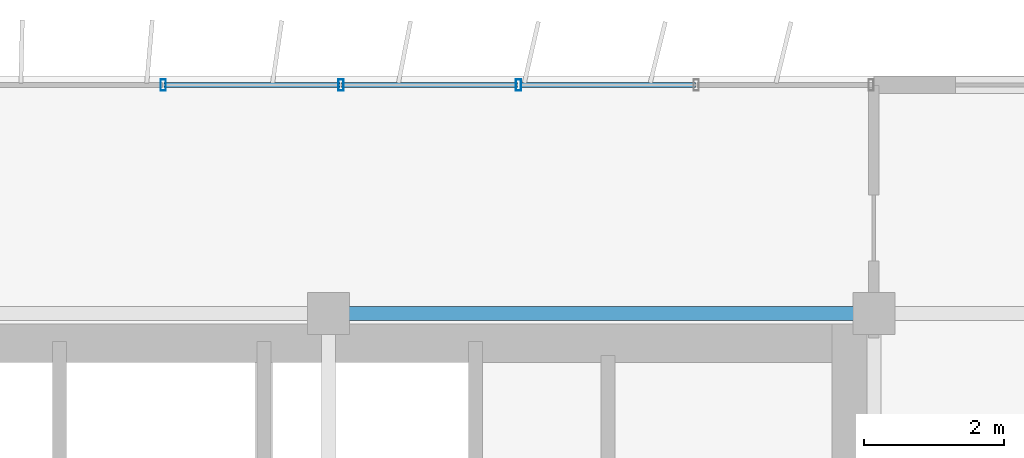
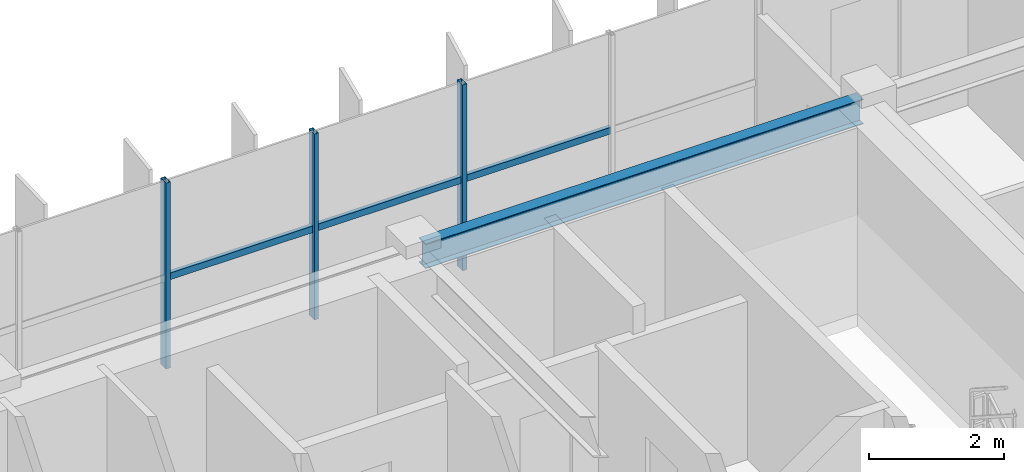
# One storey, part 12 of 22: 6 members, 1 beam, 1 element without a shape of its own.
"""IFC4 building model written with IfcOpenShell, lengths in metres."""

import ifcopenshell
import ifcopenshell.guid

model = None  # the IFC model being written
_history = None  # IfcOwnerHistory: only IFC2X3 demands one
_inside = {}  # id of a spatial element -> (the spatial element, [elements in it])
_under = {}  # id of a project, library or spatial element -> (it, [spatial elements below it])
_declared = {}  # id of a project -> (the project, [libraries it declares])
_typed = {}  # id of a type object -> (the type object, [elements of that type])
_made_of = {}  # id of a material, layer set ... -> (it, [elements and type objects made of it])


def new_model(schema):
    """Start an empty IFC model of exactly this schema.

    Asked for "IFC4X3", IfcOpenShell would pick the latest addendum, in which some entities
    have other attributes; the version numbers below select the first issue.
    IFC2X3 requires an IfcOwnerHistory on every rooted entity: one is made here for all.
    """
    global model, _history
    if schema == "IFC4X3":
        model = ifcopenshell.file(schema_version=(4, 3, 0, 0))
    else:
        model = ifcopenshell.file(schema=schema)
    _inside.clear()
    _under.clear()
    _declared.clear()
    _typed.clear()
    _made_of.clear()
    _history = None
    if model.schema == "IFC2X3":
        org = make("IfcOrganization", Name="unknown")
        user = make(
            "IfcPersonAndOrganization",
            ThePerson=make("IfcPerson", FamilyName="unknown"),
            TheOrganization=org,
        )
        app = make(
            "IfcApplication",
            ApplicationDeveloper=org,
            Version="unknown",
            ApplicationFullName="unknown",
            ApplicationIdentifier="unknown",
        )
        _history = make(
            "IfcOwnerHistory",
            OwningUser=user,
            OwningApplication=app,
            ChangeAction="ADDED",
            CreationDate=0,
        )
    return model


def make(cls, **values):
    """One entity of the class cls with the attributes given. An attribute that is None is left unset."""
    return model.create_entity(
        cls, **{name: value for name, value in values.items() if value is not None}
    )


def rooted(cls, **values):
    """An entity with a GlobalId (a new one), such as an element, a storey or a relation."""
    return make(cls, GlobalId=ifcopenshell.guid.new(), OwnerHistory=_history, **values)


def si_unit(unit_type, name, prefix=None):
    """IfcSIUnit, for example si_unit("LENGTHUNIT", "METRE", prefix="MILLI")."""
    return make("IfcSIUnit", UnitType=unit_type, Prefix=prefix, Name=name)


def assignment(units):
    """IfcUnitAssignment: the units of a project."""
    return None if units is None else make("IfcUnitAssignment", Units=units)


def point(xyz):
    """IfcCartesianPoint."""
    return None if xyz is None else make("IfcCartesianPoint", Coordinates=xyz)


def direction(xyz):
    """IfcDirection."""
    return None if xyz is None else make("IfcDirection", DirectionRatios=xyz)


def frame(location, z_axis=None, x_axis=None):
    """IfcAxis2Placement3D, a coordinate frame: its origin and axes. An axis left out is left unset."""
    return make(
        "IfcAxis2Placement3D",
        Location=point(location),
        Axis=direction(z_axis),
        RefDirection=direction(x_axis),
    )


def frame_2d(location, x_axis=None):
    """IfcAxis2Placement2D, a coordinate frame in the plane: its origin and x axis."""
    return make(
        "IfcAxis2Placement2D", Location=point(location), RefDirection=direction(x_axis)
    )


def origin():
    """The frame at (0, 0, 0) with its axes left unset."""
    return frame((0.0, 0.0, 0.0))


def origin_2d():
    """The frame at (0, 0) in the plane with its x axis left unset."""
    return frame_2d((0.0, 0.0))


def place(relative_to, where):
    """IfcLocalPlacement: puts the frame where relative to a parent placement (None: the world)."""
    return make(
        "IfcLocalPlacement", PlacementRelTo=relative_to, RelativePlacement=where
    )


def context(
    kind, dimensions, precision=None, world=None, true_north=None, identifier=None
):
    """IfcGeometricRepresentationContext, for example the 3D "Model" context."""
    return make(
        "IfcGeometricRepresentationContext",
        ContextIdentifier=identifier,
        ContextType=kind,
        CoordinateSpaceDimension=dimensions,
        Precision=precision,
        WorldCoordinateSystem=world,
        TrueNorth=true_north,
    )


def subcontext(parent, identifier, kind, view, scale=None):
    """IfcGeometricRepresentationSubContext, for example "Body" below "Model"."""
    return make(
        "IfcGeometricRepresentationSubContext",
        ContextIdentifier=identifier,
        ContextType=kind,
        ParentContext=parent,
        TargetScale=scale,
        TargetView=view,
    )


def project(units=None, contexts=None):
    """IfcProject with its units and contexts."""
    return rooted(
        "IfcProject",
        Name="project",
        RepresentationContexts=contexts,
        UnitsInContext=assignment(units),
    )


def spatial(cls, under=None, at=None, **own):
    """A site, building, storey or space (cls), placed at a placement, below another one or the project."""
    s = rooted(cls, ObjectPlacement=at, **own)
    if under is not None:
        _under.setdefault(under.id(), (under, []))[1].append(s)
    return s


def profile(cls, at=None, kind="AREA", **sizes):
    """A parametric profile (cls). Its sizes go by their IFC names, for example OverallWidth=200.0."""
    return make(cls, ProfileType=kind, Position=at, **sizes)


def hollow_rectangle(**sizes):
    """IfcRectangleHollowProfileDef."""
    return profile("IfcRectangleHollowProfileDef", **sizes)


def i_section(**sizes):
    """IfcIShapeProfileDef."""
    return profile("IfcIShapeProfileDef", **sizes)


def extrude(swept, where, along, depth):
    """IfcExtrudedAreaSolid: the profile swept, set in the frame where, extruded along a direction by depth."""
    return make(
        "IfcExtrudedAreaSolid",
        SweptArea=swept,
        Position=where,
        ExtrudedDirection=direction(along),
        Depth=depth,
    )


def shape(context_of_items, identifier, shape_type, items):
    """IfcShapeRepresentation: the items that make up one representation, for example the "Body"."""
    return make(
        "IfcShapeRepresentation",
        ContextOfItems=context_of_items,
        RepresentationIdentifier=identifier,
        RepresentationType=shape_type,
        Items=items,
    )


def source(mapping_origin, context_of_items, identifier, shape_type, items):
    """IfcRepresentationMap: a shape defined once, which mapped items show again and again."""
    return make(
        "IfcRepresentationMap",
        MappingOrigin=mapping_origin,
        MappedRepresentation=shape(context_of_items, identifier, shape_type, items),
    )


def transform(
    local_origin,
    x_axis=None,
    y_axis=None,
    z_axis=None,
    scale=None,
    scale2=None,
    scale3=None,
    uniform=True,
):
    """IfcCartesianTransformationOperator3D, or its non-uniform kind. x_axis, y_axis, z_axis: its Axis1, 2, 3."""
    if uniform:
        return make(
            "IfcCartesianTransformationOperator3D",
            Axis1=direction(x_axis),
            Axis2=direction(y_axis),
            LocalOrigin=point(local_origin),
            Scale=scale,
            Axis3=direction(z_axis),
        )
    return make(
        "IfcCartesianTransformationOperator3DnonUniform",
        Axis1=direction(x_axis),
        Axis2=direction(y_axis),
        LocalOrigin=point(local_origin),
        Scale=scale,
        Axis3=direction(z_axis),
        Scale2=scale2,
        Scale3=scale3,
    )


def mapped(mapping_source, mapping_target):
    """IfcMappedItem: shows the shape of a source again, moved by a transform."""
    return make(
        "IfcMappedItem", MappingSource=mapping_source, MappingTarget=mapping_target
    )


def material(Name=None, Category=None):
    """IfcMaterial."""
    return make("IfcMaterial", Name=Name, Category=Category)


def material_profile(
    of_material, cross_section, Name=None, Category=None, Priority=None
):
    """IfcMaterialProfile: a cross section and its material."""
    return make(
        "IfcMaterialProfile",
        Name=Name,
        Material=of_material,
        Profile=cross_section,
        Priority=Priority,
        Category=Category,
    )


def profile_set(profiles, Name=None, composite=None):
    """IfcMaterialProfileSet."""
    return make(
        "IfcMaterialProfileSet",
        Name=Name,
        MaterialProfiles=profiles,
        CompositeProfile=composite,
    )


def made_of(thing, what):
    """Note that an element or type object is made of a material, layer set ...; save() writes the relation."""
    if what is not None:
        _made_of.setdefault(what.id(), (what, []))[1].append(thing)
    return thing


def type_object(cls, material=None, **own):
    """A type object (cls), such as IfcWallType, which elements share."""
    return made_of(rooted(cls, **own), material)


def element(
    cls,
    number,
    at=None,
    inside=None,
    cuts=None,
    type_object=None,
    material=None,
    context=None,
    identifier="Body",
    shape_type=None,
    held_by="IfcProductDefinitionShape",
    body=None,
    shapes=None,
    **own,
):
    """One element of the class cls, such as IfcWall. Its Tag is "e" and its number.

    at: its placement. inside: the storey or other place that contains it. cuts: it is an
    opening in that element (IfcRelVoidsElement). A single representation is given by context,
    identifier, shape_type and body (its items); several are given by shapes. held_by: the class
    of the entity that holds the representations. save() writes the other relations.
    """
    e = rooted(cls, Tag="e%d" % number, ObjectPlacement=at, **own)
    if body is not None:
        shapes = [shape(context, identifier, shape_type, body)]
    if shapes is not None:
        e.Representation = make(held_by, Representations=shapes)
    if inside is not None:
        _inside.setdefault(inside.id(), (inside, []))[1].append(e)
    if cuts is not None:
        rooted(
            "IfcRelVoidsElement", RelatingBuildingElement=cuts, RelatedOpeningElement=e
        )
    if type_object is not None:
        _typed.setdefault(type_object.id(), (type_object, []))[1].append(e)
    return made_of(e, material)


def aggregate(whole, parts):
    """IfcRelAggregates: a whole, such as a stair, and the parts it consists of."""
    return rooted("IfcRelAggregates", RelatingObject=whole, RelatedObjects=parts)


def save(model, path):
    """Write the relations noted so far, then the file.

    IfcRelAggregates (storeys below a building ...), IfcRelContainedInSpatialStructure (elements
    in a storey), IfcRelDefinesByType, IfcRelAssociatesMaterial and IfcRelDeclares: one each for
    every whole, place, type object, material and project.
    """
    for whole, parts in _under.values():
        aggregate(whole, parts)
    for where, things in _inside.values():
        rooted(
            "IfcRelContainedInSpatialStructure",
            RelatedElements=things,
            RelatingStructure=where,
        )
    for kind, things in _typed.values():
        rooted("IfcRelDefinesByType", RelatedObjects=things, RelatingType=kind)
    for what, things in _made_of.values():
        rooted("IfcRelAssociatesMaterial", RelatedObjects=things, RelatingMaterial=what)
    for by, libraries in _declared.values():
        rooted("IfcRelDeclares", RelatingContext=by, RelatedDefinitions=libraries)
    model.write(path)


model = new_model("IFC4")

# Units and contexts
model_context = context("Model", 3, precision=1e-05, world=origin(), true_north=direction((0.0, 1.0)))
body_context = subcontext(model_context, "Body", "Model", "MODEL_VIEW")
ifc_project = project(units=[si_unit("LENGTHUNIT", "METRE"), si_unit("AREAUNIT", "SQUARE_METRE"), si_unit("VOLUMEUNIT", "CUBIC_METRE"), si_unit("PLANEANGLEUNIT", "RADIAN"), si_unit("MASSUNIT", "GRAM", prefix="KILO")], contexts=[model_context])

# Site, building, storey
site_placement = place(None, origin())
site = spatial("IfcSite", under=ifc_project, at=site_placement, CompositionType="ELEMENT")
building_placement = place(site_placement, origin())
building = spatial("IfcBuilding", under=site, at=building_placement, Name="Trelvane Seafront Commons", CompositionType="ELEMENT")
storey_placement = place(building_placement, frame((0.0, 0.0, 270.300048828125)))
storey = spatial("IfcBuildingStorey", under=building, at=storey_placement, Name="L70", CompositionType="ELEMENT", Elevation=270.300048828125)

# Beam
ifc_material_1 = material(Name="Steel SM355 (S355)", Category="steel")
ifc_material_profile_1 = material_profile(ifc_material_1, i_section(OverallWidth=0.199951171875, OverallDepth=0.449951171875, WebThickness=0.009033203125, FlangeThickness=0.013916015625, at=origin_2d()), Name="H-450x200x9x14")
ifc_profile_set_1 = profile_set([ifc_material_profile_1], Name="Steel SM355 (S355)")
beam_type = type_object("IfcBeamType", Name="STR-SPD-H450", PredefinedType="SPANDREL", material=ifc_profile_set_1)
shared_shape_1 = source(origin(), body_context, "Body", "SweptSolid", [
    extrude(i_section(OverallWidth=0.199951171875, OverallDepth=0.449951171875, WebThickness=0.009033203125, FlangeThickness=0.013916015625, at=origin_2d()), origin(), (0.0, 0.0, 1.0), 7.5),
])
beam_placement = place(storey_placement, frame((51.14990234375, 45.10009765625, 3.14501953125), z_axis=(1.0, 0.0, 0.0), x_axis=(0.0, 1.0, 0.0)))
element("IfcBeam", 1, at=beam_placement, inside=storey, type_object=beam_type, Name="L70 Primary Girder G-27", PredefinedType="SPANDREL", context=body_context, shape_type="MappedRepresentation", body=[
    mapped(shared_shape_1, transform((0.0, 0.0, 0.0), x_axis=(1.0, 0.0, 0.0), y_axis=(0.0, 1.0, 0.0), z_axis=(0.0, 0.0, 1.0), scale=1.0)),
])

# Curtain wall, members
ifc_material_2 = material(Name="Anodised pale-silver aluminium", Category="aluminium")
curtain_wall_type = type_object("IfcCurtainWallType", Name="ARCH-CW5-UPTOWER", PredefinedType="NOTDEFINED", material=ifc_material_2)
curtain_wall_placement = place(storey_placement, origin())
curtain_wall = element("IfcCurtainWall", 2, at=curtain_wall_placement, inside=storey, type_object=curtain_wall_type, Name="CW-L70-0114", PredefinedType="NOTDEFINED")
ifc_material_profile_2 = material_profile(ifc_material_2, hollow_rectangle(XDim=0.070068359375, YDim=0.1201171875, WallThickness=0.00390625, at=origin_2d()), Name="TRAN-70x120x4")
ifc_profile_set_2 = profile_set([ifc_material_profile_2], Name="Anodised pale-silver aluminium")
member_type_1 = type_object("IfcMemberType", Name="ARCH-CW-TRAN-120", PredefinedType="USERDEFINED", material=ifc_profile_set_2)
shared_shape_2 = source(origin(), body_context, "Body", "SweptSolid", [
    extrude(hollow_rectangle(XDim=0.070068359375, YDim=0.1201171875, WallThickness=0.00390625, at=origin_2d()), origin(), (0.0, 0.0, 1.0), 2.51708984375),
])
member_1_placement = place(storey_placement, frame((51.1884765625, 48.3701171875, 1.617919921875), z_axis=(1.0, 0.0, 0.0), x_axis=(0.0, 1.0, 0.0)))
member_1 = element("IfcMember", 3, at=member_1_placement, type_object=member_type_1, Name="CW-L70-0114-T14", ObjectType="TRANSOM", PredefinedType="USERDEFINED", context=body_context, shape_type="MappedRepresentation", body=[
    mapped(shared_shape_2, transform((0.0, 0.0, 0.0), x_axis=(1.0, 0.0, 0.0), y_axis=(0.0, 1.0, 0.0), z_axis=(0.0, 0.0, 1.0), scale=1.0)),
])
shared_shape_3 = source(origin(), body_context, "Body", "SweptSolid", [
    extrude(hollow_rectangle(XDim=0.070068359375, YDim=0.1201171875, WallThickness=0.00390625, at=origin_2d()), origin(), (0.0, 0.0, 1.0), 2.517333984375),
])
member_2_placement = place(storey_placement, frame((48.647216796875, 48.3701171875, 1.617919921875), z_axis=(1.0, 0.0, 0.0), x_axis=(0.0, 1.0, 0.0)))
member_2 = element("IfcMember", 4, at=member_2_placement, type_object=member_type_1, Name="CW-L70-0114-T13", ObjectType="TRANSOM", PredefinedType="USERDEFINED", context=body_context, shape_type="MappedRepresentation", body=[
    mapped(shared_shape_3, transform((0.0, 0.0, 0.0), x_axis=(1.0, 0.0, 0.0), y_axis=(0.0, 1.0, 0.0), z_axis=(0.0, 0.0, 1.0), scale=1.0)),
])
member_3_placement = place(storey_placement, frame((53.7294921875, 48.3701171875, 1.617919921875), z_axis=(1.0, 0.0, 0.0), x_axis=(0.0, 1.0, 0.0)))
member_3 = element("IfcMember", 5, at=member_3_placement, type_object=member_type_1, Name="CW-L70-0114-T15", ObjectType="TRANSOM", PredefinedType="USERDEFINED", context=body_context, shape_type="MappedRepresentation", body=[
    mapped(shared_shape_3, transform((0.0, 0.0, 0.0), x_axis=(1.0, 0.0, 0.0), y_axis=(0.0, 1.0, 0.0), z_axis=(0.0, 0.0, 1.0), scale=1.0)),
])
ifc_material_profile_3 = material_profile(ifc_material_2, hollow_rectangle(XDim=0.074951171875, YDim=0.159912109375, WallThickness=0.00390625, at=origin_2d()), Name="MULL-75x160x4")
ifc_profile_set_3 = profile_set([ifc_material_profile_3], Name="Anodised pale-silver aluminium")
member_type_2 = type_object("IfcMemberType", Name="ARCH-CW-MULL-160", PredefinedType="MULLION", material=ifc_profile_set_3)
shared_shape_4 = source(origin(), body_context, "Body", "SweptSolid", [
    extrude(hollow_rectangle(XDim=0.074951171875, YDim=0.159912109375, WallThickness=0.00390625, at=origin_2d()), origin(), (0.0, 0.0, 1.0), 3.369873046875),
])
member_4_placement = place(storey_placement, frame((48.63525390625, 48.3701171875, 0.0), z_axis=(0.0, 0.0, 1.0), x_axis=(1.0, 0.0, 0.0)))
member_4 = element("IfcMember", 6, at=member_4_placement, type_object=member_type_2, Name="CW-L70-0114-M13", PredefinedType="MULLION", context=body_context, shape_type="MappedRepresentation", body=[
    mapped(shared_shape_4, transform((0.0, 0.0, 0.0), x_axis=(1.0, 0.0, 0.0), y_axis=(0.0, 1.0, 0.0), z_axis=(0.0, 0.0, 1.0), scale=1.0)),
])
member_5_placement = place(storey_placement, frame((51.176513671875, 48.3701171875, 0.0), z_axis=(0.0, 0.0, 1.0), x_axis=(1.0, 0.0, 0.0)))
member_5 = element("IfcMember", 7, at=member_5_placement, type_object=member_type_2, Name="CW-L70-0114-M14", PredefinedType="MULLION", context=body_context, shape_type="MappedRepresentation", body=[
    mapped(shared_shape_4, transform((0.0, 0.0, 0.0), x_axis=(1.0, 0.0, 0.0), y_axis=(0.0, 1.0, 0.0), z_axis=(0.0, 0.0, 1.0), scale=1.0)),
])
member_6_placement = place(storey_placement, frame((53.717529296875, 48.3701171875, 0.0), z_axis=(0.0, 0.0, 1.0), x_axis=(1.0, 0.0, 0.0)))
member_6 = element("IfcMember", 8, at=member_6_placement, type_object=member_type_2, Name="CW-L70-0114-M15", PredefinedType="MULLION", context=body_context, shape_type="MappedRepresentation", body=[
    mapped(shared_shape_4, transform((0.0, 0.0, 0.0), x_axis=(1.0, 0.0, 0.0), y_axis=(0.0, 1.0, 0.0), z_axis=(0.0, 0.0, 1.0), scale=1.0)),
])
aggregate(curtain_wall, [member_4, member_5, member_6, member_2, member_1, member_3])

save(model, "model.ifc")
